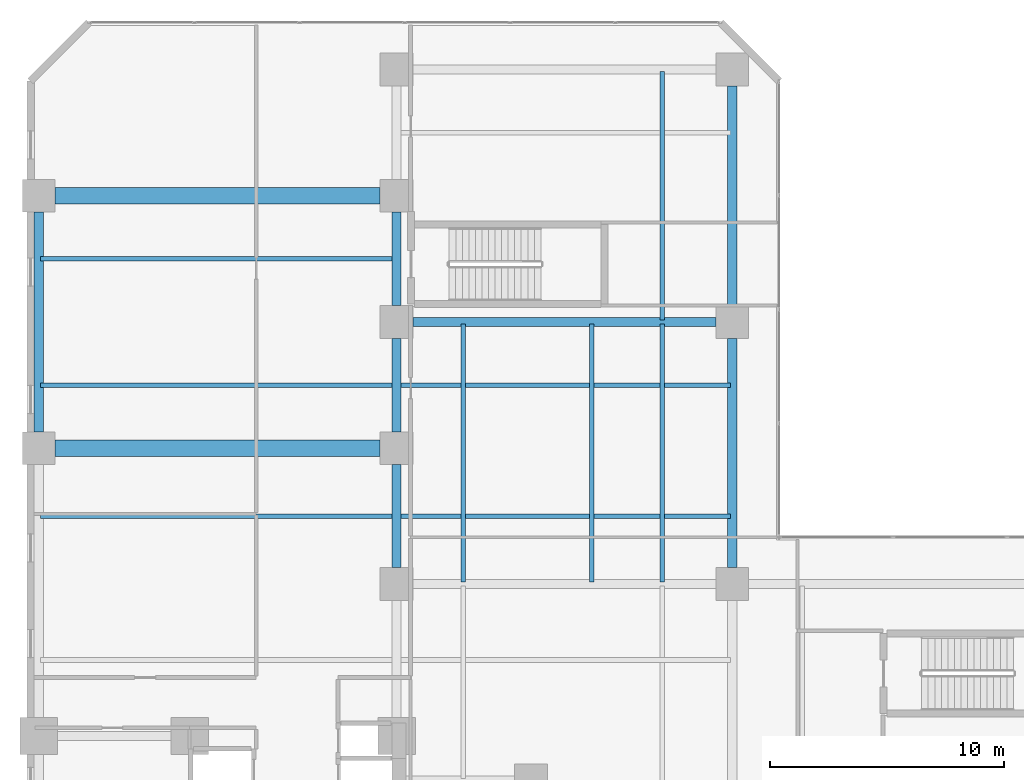
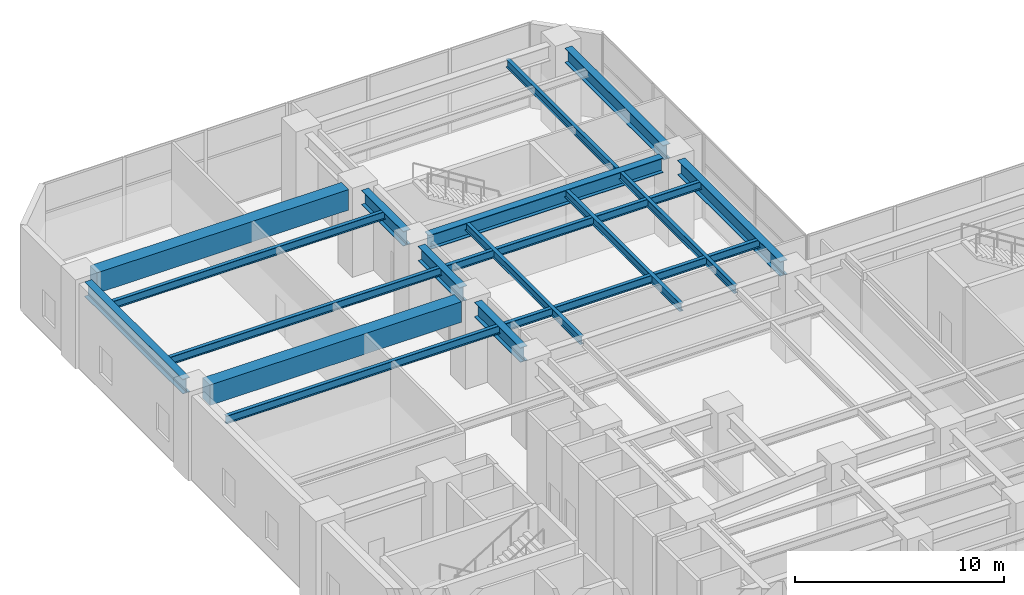
# One storey, part 12 of 29: 18 beams.
"""IFC4 building model written with IfcOpenShell, lengths in metres."""

import ifcopenshell
import ifcopenshell.guid

model = None  # the IFC model being written
_history = None  # IfcOwnerHistory: only IFC2X3 demands one
_inside = {}  # id of a spatial element -> (the spatial element, [elements in it])
_under = {}  # id of a project, library or spatial element -> (it, [spatial elements below it])
_declared = {}  # id of a project -> (the project, [libraries it declares])
_typed = {}  # id of a type object -> (the type object, [elements of that type])
_made_of = {}  # id of a material, layer set ... -> (it, [elements and type objects made of it])


def new_model(schema):
    """Start an empty IFC model of exactly this schema.

    Asked for "IFC4X3", IfcOpenShell would pick the latest addendum, in which some entities
    have other attributes; the version numbers below select the first issue.
    IFC2X3 requires an IfcOwnerHistory on every rooted entity: one is made here for all.
    """
    global model, _history
    if schema == "IFC4X3":
        model = ifcopenshell.file(schema_version=(4, 3, 0, 0))
    else:
        model = ifcopenshell.file(schema=schema)
    _inside.clear()
    _under.clear()
    _declared.clear()
    _typed.clear()
    _made_of.clear()
    _history = None
    if model.schema == "IFC2X3":
        org = make("IfcOrganization", Name="unknown")
        user = make(
            "IfcPersonAndOrganization",
            ThePerson=make("IfcPerson", FamilyName="unknown"),
            TheOrganization=org,
        )
        app = make(
            "IfcApplication",
            ApplicationDeveloper=org,
            Version="unknown",
            ApplicationFullName="unknown",
            ApplicationIdentifier="unknown",
        )
        _history = make(
            "IfcOwnerHistory",
            OwningUser=user,
            OwningApplication=app,
            ChangeAction="ADDED",
            CreationDate=0,
        )
    return model


def make(cls, **values):
    """One entity of the class cls with the attributes given. An attribute that is None is left unset."""
    return model.create_entity(
        cls, **{name: value for name, value in values.items() if value is not None}
    )


def rooted(cls, **values):
    """An entity with a GlobalId (a new one), such as an element, a storey or a relation."""
    return make(cls, GlobalId=ifcopenshell.guid.new(), OwnerHistory=_history, **values)


def si_unit(unit_type, name, prefix=None):
    """IfcSIUnit, for example si_unit("LENGTHUNIT", "METRE", prefix="MILLI")."""
    return make("IfcSIUnit", UnitType=unit_type, Prefix=prefix, Name=name)


def assignment(units):
    """IfcUnitAssignment: the units of a project."""
    return None if units is None else make("IfcUnitAssignment", Units=units)


def point(xyz):
    """IfcCartesianPoint."""
    return None if xyz is None else make("IfcCartesianPoint", Coordinates=xyz)


def direction(xyz):
    """IfcDirection."""
    return None if xyz is None else make("IfcDirection", DirectionRatios=xyz)


def frame(location, z_axis=None, x_axis=None):
    """IfcAxis2Placement3D, a coordinate frame: its origin and axes. An axis left out is left unset."""
    return make(
        "IfcAxis2Placement3D",
        Location=point(location),
        Axis=direction(z_axis),
        RefDirection=direction(x_axis),
    )


def frame_2d(location, x_axis=None):
    """IfcAxis2Placement2D, a coordinate frame in the plane: its origin and x axis."""
    return make(
        "IfcAxis2Placement2D", Location=point(location), RefDirection=direction(x_axis)
    )


def origin():
    """The frame at (0, 0, 0) with its axes left unset."""
    return frame((0.0, 0.0, 0.0))


def origin_2d():
    """The frame at (0, 0) in the plane with its x axis left unset."""
    return frame_2d((0.0, 0.0))


def place(relative_to, where):
    """IfcLocalPlacement: puts the frame where relative to a parent placement (None: the world)."""
    return make(
        "IfcLocalPlacement", PlacementRelTo=relative_to, RelativePlacement=where
    )


def context(
    kind, dimensions, precision=None, world=None, true_north=None, identifier=None
):
    """IfcGeometricRepresentationContext, for example the 3D "Model" context."""
    return make(
        "IfcGeometricRepresentationContext",
        ContextIdentifier=identifier,
        ContextType=kind,
        CoordinateSpaceDimension=dimensions,
        Precision=precision,
        WorldCoordinateSystem=world,
        TrueNorth=true_north,
    )


def subcontext(parent, identifier, kind, view, scale=None):
    """IfcGeometricRepresentationSubContext, for example "Body" below "Model"."""
    return make(
        "IfcGeometricRepresentationSubContext",
        ContextIdentifier=identifier,
        ContextType=kind,
        ParentContext=parent,
        TargetScale=scale,
        TargetView=view,
    )


def project(units=None, contexts=None):
    """IfcProject with its units and contexts."""
    return rooted(
        "IfcProject",
        Name="project",
        RepresentationContexts=contexts,
        UnitsInContext=assignment(units),
    )


def spatial(cls, under=None, at=None, **own):
    """A site, building, storey or space (cls), placed at a placement, below another one or the project."""
    s = rooted(cls, ObjectPlacement=at, **own)
    if under is not None:
        _under.setdefault(under.id(), (under, []))[1].append(s)
    return s


def profile(cls, at=None, kind="AREA", **sizes):
    """A parametric profile (cls). Its sizes go by their IFC names, for example OverallWidth=200.0."""
    return make(cls, ProfileType=kind, Position=at, **sizes)


def rectangle(**sizes):
    """IfcRectangleProfileDef."""
    return profile("IfcRectangleProfileDef", **sizes)


def i_section(**sizes):
    """IfcIShapeProfileDef."""
    return profile("IfcIShapeProfileDef", **sizes)


def extrude(swept, where, along, depth):
    """IfcExtrudedAreaSolid: the profile swept, set in the frame where, extruded along a direction by depth."""
    return make(
        "IfcExtrudedAreaSolid",
        SweptArea=swept,
        Position=where,
        ExtrudedDirection=direction(along),
        Depth=depth,
    )


def shape(context_of_items, identifier, shape_type, items):
    """IfcShapeRepresentation: the items that make up one representation, for example the "Body"."""
    return make(
        "IfcShapeRepresentation",
        ContextOfItems=context_of_items,
        RepresentationIdentifier=identifier,
        RepresentationType=shape_type,
        Items=items,
    )


def material(Name=None, Category=None):
    """IfcMaterial."""
    return make("IfcMaterial", Name=Name, Category=Category)


def material_profile(
    of_material, cross_section, Name=None, Category=None, Priority=None
):
    """IfcMaterialProfile: a cross section and its material."""
    return make(
        "IfcMaterialProfile",
        Name=Name,
        Material=of_material,
        Profile=cross_section,
        Priority=Priority,
        Category=Category,
    )


def profile_set(profiles, Name=None, composite=None):
    """IfcMaterialProfileSet."""
    return make(
        "IfcMaterialProfileSet",
        Name=Name,
        MaterialProfiles=profiles,
        CompositeProfile=composite,
    )


def made_of(thing, what):
    """Note that an element or type object is made of a material, layer set ...; save() writes the relation."""
    if what is not None:
        _made_of.setdefault(what.id(), (what, []))[1].append(thing)
    return thing


def type_object(cls, material=None, **own):
    """A type object (cls), such as IfcWallType, which elements share."""
    return made_of(rooted(cls, **own), material)


def element(
    cls,
    number,
    at=None,
    inside=None,
    cuts=None,
    type_object=None,
    material=None,
    context=None,
    identifier="Body",
    shape_type=None,
    held_by="IfcProductDefinitionShape",
    body=None,
    shapes=None,
    **own,
):
    """One element of the class cls, such as IfcWall. Its Tag is "e" and its number.

    at: its placement. inside: the storey or other place that contains it. cuts: it is an
    opening in that element (IfcRelVoidsElement). A single representation is given by context,
    identifier, shape_type and body (its items); several are given by shapes. held_by: the class
    of the entity that holds the representations. save() writes the other relations.
    """
    e = rooted(cls, Tag="e%d" % number, ObjectPlacement=at, **own)
    if body is not None:
        shapes = [shape(context, identifier, shape_type, body)]
    if shapes is not None:
        e.Representation = make(held_by, Representations=shapes)
    if inside is not None:
        _inside.setdefault(inside.id(), (inside, []))[1].append(e)
    if cuts is not None:
        rooted(
            "IfcRelVoidsElement", RelatingBuildingElement=cuts, RelatedOpeningElement=e
        )
    if type_object is not None:
        _typed.setdefault(type_object.id(), (type_object, []))[1].append(e)
    return made_of(e, material)


def aggregate(whole, parts):
    """IfcRelAggregates: a whole, such as a stair, and the parts it consists of."""
    return rooted("IfcRelAggregates", RelatingObject=whole, RelatedObjects=parts)


def save(model, path):
    """Write the relations noted so far, then the file.

    IfcRelAggregates (storeys below a building ...), IfcRelContainedInSpatialStructure (elements
    in a storey), IfcRelDefinesByType, IfcRelAssociatesMaterial and IfcRelDeclares: one each for
    every whole, place, type object, material and project.
    """
    for whole, parts in _under.values():
        aggregate(whole, parts)
    for where, things in _inside.values():
        rooted(
            "IfcRelContainedInSpatialStructure",
            RelatedElements=things,
            RelatingStructure=where,
        )
    for kind, things in _typed.values():
        rooted("IfcRelDefinesByType", RelatedObjects=things, RelatingType=kind)
    for what, things in _made_of.values():
        rooted("IfcRelAssociatesMaterial", RelatedObjects=things, RelatingMaterial=what)
    for by, libraries in _declared.values():
        rooted("IfcRelDeclares", RelatingContext=by, RelatedDefinitions=libraries)
    model.write(path)


model = new_model("IFC4")

# Units and contexts
model_context = context("Model", 3, precision=1e-05, world=origin(), true_north=direction((0.0, 1.0)))
body_context = subcontext(model_context, "Body", "Model", "MODEL_VIEW")
ifc_project = project(units=[si_unit("LENGTHUNIT", "METRE"), si_unit("AREAUNIT", "SQUARE_METRE"), si_unit("VOLUMEUNIT", "CUBIC_METRE"), si_unit("PLANEANGLEUNIT", "RADIAN"), si_unit("MASSUNIT", "GRAM", prefix="KILO")], contexts=[model_context])

# Site, building, storey
site_placement = place(None, origin())
site = spatial("IfcSite", under=ifc_project, at=site_placement, CompositionType="ELEMENT")
building_placement = place(site_placement, origin())
building = spatial("IfcBuilding", under=site, at=building_placement, Name="Mawjaban Terraces University", CompositionType="ELEMENT")
storey_placement = place(building_placement, frame((0.0, 0.0, 15.60009765625)))
storey = spatial("IfcBuildingStorey", under=building, at=storey_placement, Name="L03", CompositionType="ELEMENT", Elevation=15.60009765625)

# Beams
ifc_material_1 = material(Name="Steel ASTM A572 Grade 50", Category="steel")
ifc_material_profile_1 = material_profile(ifc_material_1, i_section(OverallWidth=0.39990234375, OverallDepth=0.85498046875, WebThickness=0.018310546875, FlangeThickness=0.029296875, at=origin_2d()), Name="W840X299")
ifc_profile_set_1 = profile_set([ifc_material_profile_1], Name="Steel ASTM A572 Grade 50")
beam_type_1 = type_object("IfcBeamType", Name="Beam_B_W840X299", PredefinedType="BEAM", material=ifc_profile_set_1)
beam_1_placement = place(storey_placement, frame((38.35009765625, 41.199951171875, 4.492919921875), z_axis=(1.0, 0.0, 0.0), x_axis=(0.0, 1.0, 0.0)))
element("IfcBeam", 1, at=beam_1_placement, inside=storey, type_object=beam_type_1, Name="L03 Beam BM-L03-EW-16", PredefinedType="BEAM", context=body_context, shape_type="SweptSolid", body=[
    extrude(i_section(OverallWidth=0.39990234375, OverallDepth=0.85498046875, WebThickness=0.018310546875, FlangeThickness=0.029296875, at=origin_2d()), origin(), (0.0, 0.0, 1.0), 12.949951171875),
])
beam_2_placement = place(storey_placement, frame((22.35009765625, 36.5, 4.492919921875), z_axis=(0.0, 1.0, 0.0), x_axis=(-1.0, 0.0, 0.0)))
element("IfcBeam", 2, at=beam_2_placement, inside=storey, type_object=beam_type_1, Name="L03 Beam BM-L03-NS-04", PredefinedType="BEAM", context=body_context, shape_type="SweptSolid", body=[
    extrude(i_section(OverallWidth=0.39990234375, OverallDepth=0.85498046875, WebThickness=0.018310546875, FlangeThickness=0.029296875, at=origin_2d()), origin(), (0.0, 0.0, 1.0), 9.39990234375),
])
beam_3_placement = place(storey_placement, frame((37.64990234375, 30.699951171875, 4.492919921875), z_axis=(0.0, 1.0, 0.0), x_axis=(-1.0, 0.0, 0.0)))
element("IfcBeam", 3, at=beam_3_placement, inside=storey, type_object=beam_type_1, Name="L03 Beam BM-L03-NS-09", PredefinedType="BEAM", context=body_context, shape_type="SweptSolid", body=[
    extrude(i_section(OverallWidth=0.39990234375, OverallDepth=0.85498046875, WebThickness=0.018310546875, FlangeThickness=0.029296875, at=origin_2d()), origin(), (0.0, 0.0, 1.0), 4.400146484375),
])
for number, where, z_axis, x_axis, name in (
    (4, (37.64990234375, 36.5, 4.492919921875), (0.0, 1.0, 0.0), (-1.0, 0.0, 0.0), "L03 Beam BM-L03-NS-10"),
    (5, (37.64990234375, 41.89990234375, 4.492919921875), (0.0, 1.0, 0.0), (-1.0, 0.0, 0.0), "L03 Beam BM-L03-NS-11"),
):
    element("IfcBeam", number, at=place(storey_placement, frame(where, z_axis=z_axis, x_axis=x_axis)), inside=storey, type_object=beam_type_1, Name=name, PredefinedType="BEAM", context=body_context, shape_type="SweptSolid", body=[
        extrude(i_section(OverallWidth=0.39990234375, OverallDepth=0.85498046875, WebThickness=0.018310546875, FlangeThickness=0.029296875, at=origin_2d()), origin(), (0.0, 0.0, 1.0), 4.0),
    ])
beam_4_placement = place(storey_placement, frame((52.0, 30.699951171875, 4.492919921875), z_axis=(0.0, 1.0, 0.0), x_axis=(-1.0, 0.0, 0.0)))
element("IfcBeam", 6, at=beam_4_placement, inside=storey, type_object=beam_type_1, Name="L03 Beam BM-L03-NS-17", PredefinedType="BEAM", context=body_context, shape_type="SweptSolid", body=[
    extrude(i_section(OverallWidth=0.39990234375, OverallDepth=0.85498046875, WebThickness=0.018310546875, FlangeThickness=0.029296875, at=origin_2d()), origin(), (0.0, 0.0, 1.0), 9.800048828125),
])
beam_5_placement = place(storey_placement, frame((52.0, 41.89990234375, 4.492919921875), z_axis=(0.0, 1.0, 0.0), x_axis=(-1.0, 0.0, 0.0)))
element("IfcBeam", 7, at=beam_5_placement, inside=storey, type_object=beam_type_1, Name="L03 Beam BM-L03-NS-18", PredefinedType="BEAM", context=body_context, shape_type="SweptSolid", body=[
    extrude(i_section(OverallWidth=0.39990234375, OverallDepth=0.85498046875, WebThickness=0.018310546875, FlangeThickness=0.029296875, at=origin_2d()), origin(), (0.0, 0.0, 1.0), 9.400146484375),
])
ifc_material_profile_2 = material_profile(ifc_material_1, i_section(OverallWidth=0.194091796875, OverallDepth=0.468994140625, WebThickness=0.011474609375, FlangeThickness=0.0205078125, at=origin_2d()), Name="W460X106")
ifc_profile_set_2 = profile_set([ifc_material_profile_2], Name="Steel ASTM A572 Grade 50")
beam_type_2 = type_object("IfcBeamType", Name="Beam_J_W460X106", PredefinedType="JOIST", material=ifc_profile_set_2)
beam_6_placement = place(storey_placement, frame((22.429931640625, 32.89990234375, 4.684814453125), z_axis=(1.0, 0.0, 0.0), x_axis=(0.0, 1.0, 0.0)))
element("IfcBeam", 8, at=beam_6_placement, inside=storey, type_object=beam_type_2, Name="L03 Composite Joist JST-L03-20", PredefinedType="JOIST", context=body_context, shape_type="SweptSolid", body=[
    extrude(i_section(OverallWidth=0.194091796875, OverallDepth=0.468994140625, WebThickness=0.011474609375, FlangeThickness=0.0205078125, at=origin_2d()), origin(), (0.0, 0.0, 1.0), 15.14013671875),
])
beam_7_placement = place(storey_placement, frame((37.72998046875, 32.89990234375, 4.684814453125), z_axis=(1.0, 0.0, 0.0), x_axis=(0.0, 1.0, 0.0)))
element("IfcBeam", 9, at=beam_7_placement, inside=storey, type_object=beam_type_2, Name="L03 Composite Joist JST-L03-21", PredefinedType="JOIST", context=body_context, shape_type="SweptSolid", body=[
    extrude(i_section(OverallWidth=0.194091796875, OverallDepth=0.468994140625, WebThickness=0.011474609375, FlangeThickness=0.0205078125, at=origin_2d()), origin(), (0.0, 0.0, 1.0), 14.18994140625),
])
beam_8_placement = place(storey_placement, frame((22.429931640625, 38.5, 4.684814453125), z_axis=(1.0, 0.0, 0.0), x_axis=(0.0, 1.0, 0.0)))
element("IfcBeam", 10, at=beam_8_placement, inside=storey, type_object=beam_type_2, Name="L03 Composite Joist JST-L03-22", PredefinedType="JOIST", context=body_context, shape_type="SweptSolid", body=[
    extrude(i_section(OverallWidth=0.194091796875, OverallDepth=0.468994140625, WebThickness=0.011474609375, FlangeThickness=0.0205078125, at=origin_2d()), origin(), (0.0, 0.0, 1.0), 15.14013671875),
])
beam_9_placement = place(storey_placement, frame((37.72998046875, 38.5, 4.684814453125), z_axis=(1.0, 0.0, 0.0), x_axis=(0.0, 1.0, 0.0)))
element("IfcBeam", 11, at=beam_9_placement, inside=storey, type_object=beam_type_2, Name="L03 Composite Joist JST-L03-23", PredefinedType="JOIST", context=body_context, shape_type="SweptSolid", body=[
    extrude(i_section(OverallWidth=0.194091796875, OverallDepth=0.468994140625, WebThickness=0.011474609375, FlangeThickness=0.0205078125, at=origin_2d()), origin(), (0.0, 0.0, 1.0), 14.18994140625),
])
beam_10_placement = place(storey_placement, frame((22.429931640625, 43.89990234375, 4.684814453125), z_axis=(1.0, 0.0, 0.0), x_axis=(0.0, 1.0, 0.0)))
element("IfcBeam", 12, at=beam_10_placement, inside=storey, type_object=beam_type_2, Name="L03 Composite Joist JST-L03-24", PredefinedType="JOIST", context=body_context, shape_type="SweptSolid", body=[
    extrude(i_section(OverallWidth=0.194091796875, OverallDepth=0.468994140625, WebThickness=0.011474609375, FlangeThickness=0.0205078125, at=origin_2d()), origin(), (0.0, 0.0, 1.0), 15.14013671875),
])
for number, where, z_axis, x_axis, name in (
    (13, (40.5, 30.080078125, 4.684814453125), (0.0, 1.0, 0.0), (-1.0, 0.0, 0.0), "L03 Composite Joist JST-L03-NS-28"),
    (14, (46.0, 30.080078125, 4.684814453125), (0.0, 1.0, 0.0), (-1.0, 0.0, 0.0), "L03 Composite Joist JST-L03-NS-29"),
    (15, (49.0, 30.080078125, 4.684814453125), (0.0, 1.0, 0.0), (-1.0, 0.0, 0.0), "L03 Composite Joist JST-L03-NS-31"),
):
    element("IfcBeam", number, at=place(storey_placement, frame(where, z_axis=z_axis, x_axis=x_axis)), inside=storey, type_object=beam_type_2, Name=name, PredefinedType="JOIST", context=body_context, shape_type="SweptSolid", body=[
        extrude(i_section(OverallWidth=0.194091796875, OverallDepth=0.468994140625, WebThickness=0.011474609375, FlangeThickness=0.0205078125, at=origin_2d()), origin(), (0.0, 0.0, 1.0), 11.0400390625),
    ])
beam_11_placement = place(storey_placement, frame((49.0, 41.280029296875, 4.684814453125), z_axis=(0.0, 1.0, 0.0), x_axis=(-1.0, 0.0, 0.0)))
element("IfcBeam", 16, at=beam_11_placement, inside=storey, type_object=beam_type_2, Name="L03 Composite Joist JST-L03-NS-32", PredefinedType="JOIST", context=body_context, shape_type="SweptSolid", body=[
    extrude(i_section(OverallWidth=0.194091796875, OverallDepth=0.468994140625, WebThickness=0.011474609375, FlangeThickness=0.0205078125, at=origin_2d()), origin(), (0.0, 0.0, 1.0), 10.639892578125),
])
ifc_material_2 = material(Name="Concrete C50/60", Category="concrete")
ifc_material_profile_3 = material_profile(ifc_material_2, rectangle(XDim=0.699951171875, YDim=1.199951171875, at=origin_2d()), Name="RC1200X700")
ifc_profile_set_3 = profile_set([ifc_material_profile_3], Name="Concrete C50/60")
beam_type_3 = type_object("IfcBeamType", Name="PodiumLibraryTBeam_800", PredefinedType="T_BEAM", material=ifc_profile_set_3)
for number, where, z_axis, x_axis, name in (
    (17, (23.050048828125, 35.800048828125, 4.31982421875), (1.0, 0.0, 0.0), (0.0, 1.0, 0.0), "L03 Library Long-Span T-Beam 15"),
    (18, (23.050048828125, 46.60009765625, 4.31982421875), (1.0, 0.0, 0.0), (0.0, 1.0, 0.0), "L03 Library Long-Span T-Beam 17"),
):
    element("IfcBeam", number, at=place(storey_placement, frame(where, z_axis=z_axis, x_axis=x_axis)), inside=storey, type_object=beam_type_3, Name=name, PredefinedType="T_BEAM", context=body_context, shape_type="SweptSolid", body=[
        extrude(rectangle(XDim=0.699951171875, YDim=1.199951171875, at=origin_2d()), origin(), (0.0, 0.0, 1.0), 13.89990234375),
    ])

save(model, "model.ifc")
